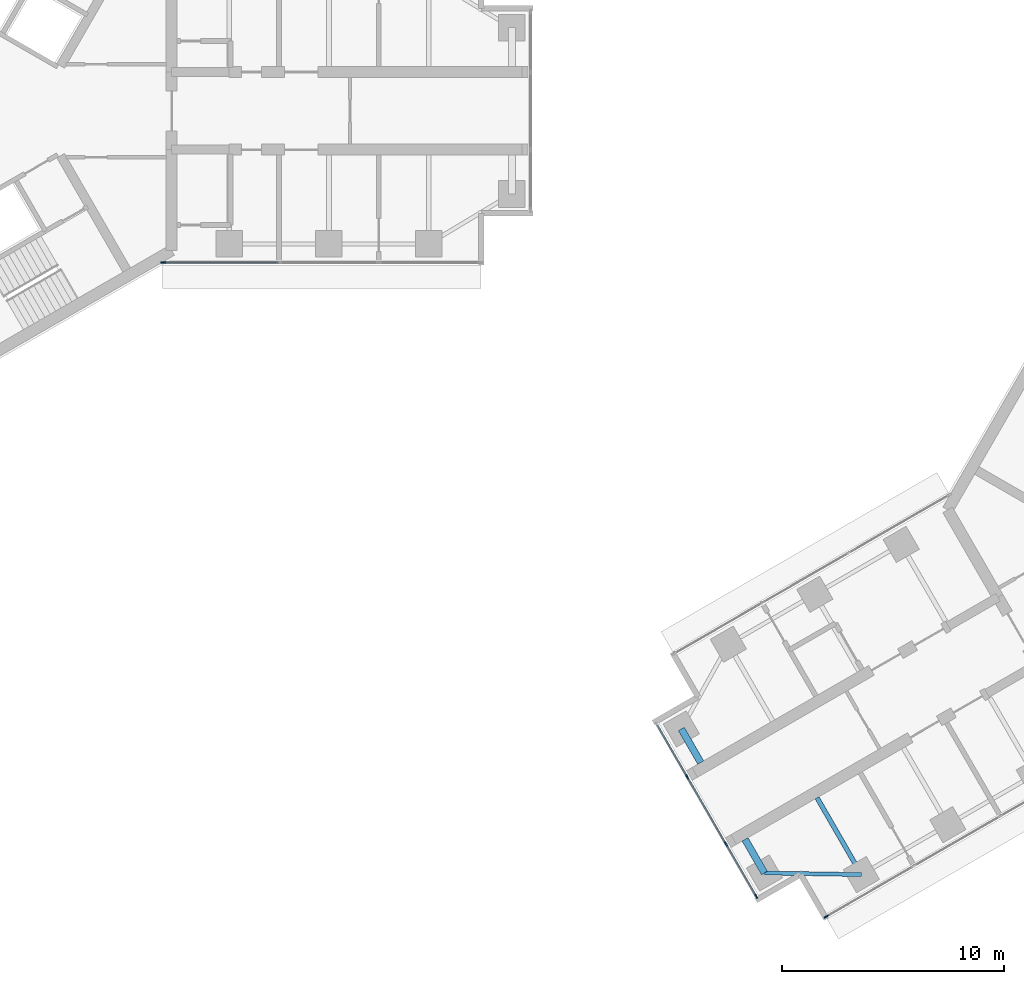
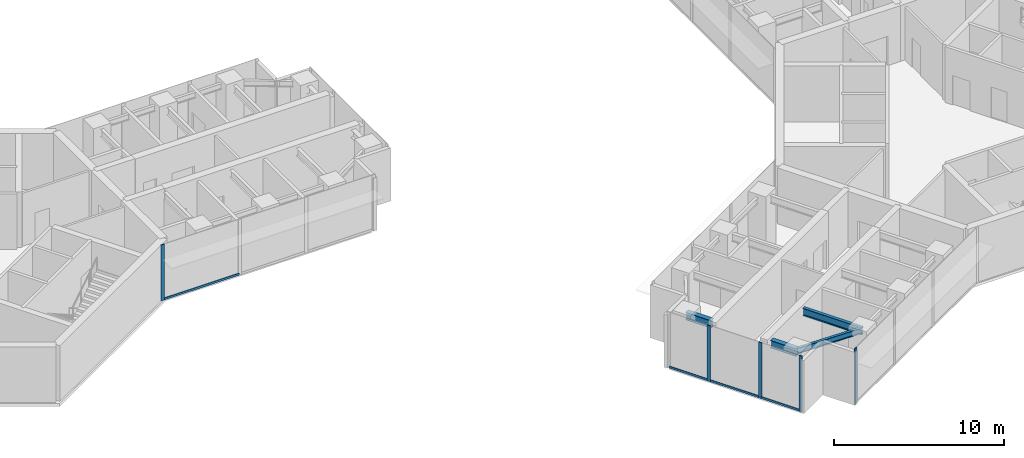
# One storey, part 2 of 17: 9 members, 4 beams, 3 elements without a shape of their own.
"""IFC4 building model written with IfcOpenShell, lengths in metres."""

import ifcopenshell
import ifcopenshell.guid

model = None  # the IFC model being written
_history = None  # IfcOwnerHistory: only IFC2X3 demands one
_inside = {}  # id of a spatial element -> (the spatial element, [elements in it])
_under = {}  # id of a project, library or spatial element -> (it, [spatial elements below it])
_declared = {}  # id of a project -> (the project, [libraries it declares])
_typed = {}  # id of a type object -> (the type object, [elements of that type])
_made_of = {}  # id of a material, layer set ... -> (it, [elements and type objects made of it])


def new_model(schema):
    """Start an empty IFC model of exactly this schema.

    Asked for "IFC4X3", IfcOpenShell would pick the latest addendum, in which some entities
    have other attributes; the version numbers below select the first issue.
    IFC2X3 requires an IfcOwnerHistory on every rooted entity: one is made here for all.
    """
    global model, _history
    if schema == "IFC4X3":
        model = ifcopenshell.file(schema_version=(4, 3, 0, 0))
    else:
        model = ifcopenshell.file(schema=schema)
    _inside.clear()
    _under.clear()
    _declared.clear()
    _typed.clear()
    _made_of.clear()
    _history = None
    if model.schema == "IFC2X3":
        org = make("IfcOrganization", Name="unknown")
        user = make(
            "IfcPersonAndOrganization",
            ThePerson=make("IfcPerson", FamilyName="unknown"),
            TheOrganization=org,
        )
        app = make(
            "IfcApplication",
            ApplicationDeveloper=org,
            Version="unknown",
            ApplicationFullName="unknown",
            ApplicationIdentifier="unknown",
        )
        _history = make(
            "IfcOwnerHistory",
            OwningUser=user,
            OwningApplication=app,
            ChangeAction="ADDED",
            CreationDate=0,
        )
    return model


def make(cls, **values):
    """One entity of the class cls with the attributes given. An attribute that is None is left unset."""
    return model.create_entity(
        cls, **{name: value for name, value in values.items() if value is not None}
    )


def rooted(cls, **values):
    """An entity with a GlobalId (a new one), such as an element, a storey or a relation."""
    return make(cls, GlobalId=ifcopenshell.guid.new(), OwnerHistory=_history, **values)


def si_unit(unit_type, name, prefix=None):
    """IfcSIUnit, for example si_unit("LENGTHUNIT", "METRE", prefix="MILLI")."""
    return make("IfcSIUnit", UnitType=unit_type, Prefix=prefix, Name=name)


def assignment(units):
    """IfcUnitAssignment: the units of a project."""
    return None if units is None else make("IfcUnitAssignment", Units=units)


def point(xyz):
    """IfcCartesianPoint."""
    return None if xyz is None else make("IfcCartesianPoint", Coordinates=xyz)


def direction(xyz):
    """IfcDirection."""
    return None if xyz is None else make("IfcDirection", DirectionRatios=xyz)


def frame(location, z_axis=None, x_axis=None):
    """IfcAxis2Placement3D, a coordinate frame: its origin and axes. An axis left out is left unset."""
    return make(
        "IfcAxis2Placement3D",
        Location=point(location),
        Axis=direction(z_axis),
        RefDirection=direction(x_axis),
    )


def frame_2d(location, x_axis=None):
    """IfcAxis2Placement2D, a coordinate frame in the plane: its origin and x axis."""
    return make(
        "IfcAxis2Placement2D", Location=point(location), RefDirection=direction(x_axis)
    )


def origin():
    """The frame at (0, 0, 0) with its axes left unset."""
    return frame((0.0, 0.0, 0.0))


def origin_2d():
    """The frame at (0, 0) in the plane with its x axis left unset."""
    return frame_2d((0.0, 0.0))


def place(relative_to, where):
    """IfcLocalPlacement: puts the frame where relative to a parent placement (None: the world)."""
    return make(
        "IfcLocalPlacement", PlacementRelTo=relative_to, RelativePlacement=where
    )


def context(
    kind, dimensions, precision=None, world=None, true_north=None, identifier=None
):
    """IfcGeometricRepresentationContext, for example the 3D "Model" context."""
    return make(
        "IfcGeometricRepresentationContext",
        ContextIdentifier=identifier,
        ContextType=kind,
        CoordinateSpaceDimension=dimensions,
        Precision=precision,
        WorldCoordinateSystem=world,
        TrueNorth=true_north,
    )


def subcontext(parent, identifier, kind, view, scale=None):
    """IfcGeometricRepresentationSubContext, for example "Body" below "Model"."""
    return make(
        "IfcGeometricRepresentationSubContext",
        ContextIdentifier=identifier,
        ContextType=kind,
        ParentContext=parent,
        TargetScale=scale,
        TargetView=view,
    )


def project(units=None, contexts=None):
    """IfcProject with its units and contexts."""
    return rooted(
        "IfcProject",
        Name="project",
        RepresentationContexts=contexts,
        UnitsInContext=assignment(units),
    )


def spatial(cls, under=None, at=None, **own):
    """A site, building, storey or space (cls), placed at a placement, below another one or the project."""
    s = rooted(cls, ObjectPlacement=at, **own)
    if under is not None:
        _under.setdefault(under.id(), (under, []))[1].append(s)
    return s


def profile(cls, at=None, kind="AREA", **sizes):
    """A parametric profile (cls). Its sizes go by their IFC names, for example OverallWidth=200.0."""
    return make(cls, ProfileType=kind, Position=at, **sizes)


def rectangle(**sizes):
    """IfcRectangleProfileDef."""
    return profile("IfcRectangleProfileDef", **sizes)


def i_section(**sizes):
    """IfcIShapeProfileDef."""
    return profile("IfcIShapeProfileDef", **sizes)


def extrude(swept, where, along, depth):
    """IfcExtrudedAreaSolid: the profile swept, set in the frame where, extruded along a direction by depth."""
    return make(
        "IfcExtrudedAreaSolid",
        SweptArea=swept,
        Position=where,
        ExtrudedDirection=direction(along),
        Depth=depth,
    )


def shape(context_of_items, identifier, shape_type, items):
    """IfcShapeRepresentation: the items that make up one representation, for example the "Body"."""
    return make(
        "IfcShapeRepresentation",
        ContextOfItems=context_of_items,
        RepresentationIdentifier=identifier,
        RepresentationType=shape_type,
        Items=items,
    )


def material(Name=None, Category=None):
    """IfcMaterial."""
    return make("IfcMaterial", Name=Name, Category=Category)


def material_profile(
    of_material, cross_section, Name=None, Category=None, Priority=None
):
    """IfcMaterialProfile: a cross section and its material."""
    return make(
        "IfcMaterialProfile",
        Name=Name,
        Material=of_material,
        Profile=cross_section,
        Priority=Priority,
        Category=Category,
    )


def profile_set(profiles, Name=None, composite=None):
    """IfcMaterialProfileSet."""
    return make(
        "IfcMaterialProfileSet",
        Name=Name,
        MaterialProfiles=profiles,
        CompositeProfile=composite,
    )


def made_of(thing, what):
    """Note that an element or type object is made of a material, layer set ...; save() writes the relation."""
    if what is not None:
        _made_of.setdefault(what.id(), (what, []))[1].append(thing)
    return thing


def type_object(cls, material=None, **own):
    """A type object (cls), such as IfcWallType, which elements share."""
    return made_of(rooted(cls, **own), material)


def element(
    cls,
    number,
    at=None,
    inside=None,
    cuts=None,
    type_object=None,
    material=None,
    context=None,
    identifier="Body",
    shape_type=None,
    held_by="IfcProductDefinitionShape",
    body=None,
    shapes=None,
    **own,
):
    """One element of the class cls, such as IfcWall. Its Tag is "e" and its number.

    at: its placement. inside: the storey or other place that contains it. cuts: it is an
    opening in that element (IfcRelVoidsElement). A single representation is given by context,
    identifier, shape_type and body (its items); several are given by shapes. held_by: the class
    of the entity that holds the representations. save() writes the other relations.
    """
    e = rooted(cls, Tag="e%d" % number, ObjectPlacement=at, **own)
    if body is not None:
        shapes = [shape(context, identifier, shape_type, body)]
    if shapes is not None:
        e.Representation = make(held_by, Representations=shapes)
    if inside is not None:
        _inside.setdefault(inside.id(), (inside, []))[1].append(e)
    if cuts is not None:
        rooted(
            "IfcRelVoidsElement", RelatingBuildingElement=cuts, RelatedOpeningElement=e
        )
    if type_object is not None:
        _typed.setdefault(type_object.id(), (type_object, []))[1].append(e)
    return made_of(e, material)


def aggregate(whole, parts):
    """IfcRelAggregates: a whole, such as a stair, and the parts it consists of."""
    return rooted("IfcRelAggregates", RelatingObject=whole, RelatedObjects=parts)


def save(model, path):
    """Write the relations noted so far, then the file.

    IfcRelAggregates (storeys below a building ...), IfcRelContainedInSpatialStructure (elements
    in a storey), IfcRelDefinesByType, IfcRelAssociatesMaterial and IfcRelDeclares: one each for
    every whole, place, type object, material and project.
    """
    for whole, parts in _under.values():
        aggregate(whole, parts)
    for where, things in _inside.values():
        rooted(
            "IfcRelContainedInSpatialStructure",
            RelatedElements=things,
            RelatingStructure=where,
        )
    for kind, things in _typed.values():
        rooted("IfcRelDefinesByType", RelatedObjects=things, RelatingType=kind)
    for what, things in _made_of.values():
        rooted("IfcRelAssociatesMaterial", RelatedObjects=things, RelatingMaterial=what)
    for by, libraries in _declared.values():
        rooted("IfcRelDeclares", RelatingContext=by, RelatedDefinitions=libraries)
    model.write(path)


model = new_model("IFC4")

# Units and contexts
model_context = context("Model", 3, precision=1e-05, world=origin(), true_north=direction((0.0, 1.0)))
body_context = subcontext(model_context, "Body", "Model", "MODEL_VIEW")
ifc_project = project(units=[si_unit("LENGTHUNIT", "METRE"), si_unit("AREAUNIT", "SQUARE_METRE"), si_unit("VOLUMEUNIT", "CUBIC_METRE"), si_unit("PLANEANGLEUNIT", "RADIAN"), si_unit("MASSUNIT", "GRAM", prefix="KILO")], contexts=[model_context])

# Site, building, storey
site_placement = place(None, origin())
site = spatial("IfcSite", under=ifc_project, at=site_placement, CompositionType="ELEMENT")
building_placement = place(site_placement, origin())
building = spatial("IfcBuilding", under=site, at=building_placement, Name="Upepo Twin Towers", CompositionType="ELEMENT")
storey_placement = place(building_placement, frame((0.0, 0.0, 186.5)))
storey = spatial("IfcBuildingStorey", under=building, at=storey_placement, Name="L45", CompositionType="ELEMENT", Elevation=186.5)

# Beams
ifc_material_1 = material(Name="Steel S355", Category="steel")
ifc_material_profile_1 = material_profile(ifc_material_1, i_section(OverallWidth=0.177978515625, OverallDepth=0.406494140625, WebThickness=0.0078125, FlangeThickness=0.0126953125, FilletRadius=0.01025390625, at=origin_2d()), Name="UB 406x178x60")
ifc_profile_set_1 = profile_set([ifc_material_profile_1], Name="Steel S355")
beam_type_1 = type_object("IfcBeamType", Name="Beam UB 406x178x60", PredefinedType="BEAM", material=ifc_profile_set_1)
beam_1_placement = place(storey_placement, frame((42.014404296875, -34.446044921875, 3.5966796875), z_axis=(-0.999858804832, 0.016803880528, 0.0), x_axis=(-0.016803880528, -0.999858804832, 0.0)))
element("IfcBeam", 1, at=beam_1_placement, inside=storey, type_object=beam_type_1, Name="T2 nose edge beam BL", PredefinedType="BEAM", context=body_context, shape_type="SweptSolid", body=[
    extrude(i_section(OverallWidth=0.177978515625, OverallDepth=0.406494140625, WebThickness=0.0078125, FlangeThickness=0.0126953125, FilletRadius=0.01025390625, at=origin_2d()), origin(), (0.0, 0.0, 1.0), 4.373291015625),
])
ifc_material_2 = material(Name="Steel S355", Category="steel")
ifc_material_profile_2 = material_profile(ifc_material_2, i_section(OverallWidth=0.209228515625, OverallDepth=0.533203125, WebThickness=0.010009765625, FlangeThickness=0.015625, FilletRadius=0.0126953125, at=origin_2d()), Name="UB 533x210x92")
ifc_profile_set_2 = profile_set([ifc_material_profile_2], Name="Steel S355")
beam_type_2 = type_object("IfcBeamType", Name="Beam UB 533x210x92", PredefinedType="BEAM", material=ifc_profile_set_2)
beam_2_placement = place(storey_placement, frame((42.014404296875, -34.446044921875, 3.533447265625), z_axis=(-0.49999894854, 0.866026010844, 0.0), x_axis=(-0.866026010844, -0.49999894854, 0.0)))
element("IfcBeam", 2, at=beam_2_placement, inside=storey, type_object=beam_type_2, Name="T2 girder BL at 22.5", PredefinedType="BEAM", context=body_context, shape_type="SweptSolid", body=[
    extrude(i_section(OverallWidth=0.209228515625, OverallDepth=0.533203125, WebThickness=0.010009765625, FlangeThickness=0.015625, FilletRadius=0.0126953125, at=origin_2d()), origin(), (0.0, 0.0, 1.0), 4.0),
])
ifc_material_3 = material(Name="Steel S355", Category="steel")
ifc_material_profile_3 = material_profile(ifc_material_3, i_section(OverallWidth=0.31201171875, OverallDepth=0.54345703125, WebThickness=0.0126953125, FlangeThickness=0.020263671875, FilletRadius=0.0126953125, at=origin_2d()), Name="UB 533x312x150")
ifc_profile_set_3 = profile_set([ifc_material_profile_3], Name="Steel S355")
beam_type_3 = type_object("IfcBeamType", Name="Beam UB 533x312x150", PredefinedType="BEAM", material=ifc_profile_set_3)
for number, where, z_axis, x_axis, name in (
    (3, (37.641845703125, -34.37255859375, 3.5283203125), (-0.499980071345, 0.866036909293, 0.0), (-0.866036909293, -0.499980071345, 0.0), "T2 nose beam BL"),
    (4, (33.891845703125, -27.87744140625, 3.5283203125), (0.499980071345, -0.866036909293, 0.0), (0.866036909293, 0.499980071345, 0.0), "T2 nose beam BR"),
):
    element("IfcBeam", number, at=place(storey_placement, frame(where, z_axis=z_axis, x_axis=x_axis)), inside=storey, type_object=beam_type_3, Name=name, PredefinedType="BEAM", context=body_context, shape_type="SweptSolid", body=[
        extrude(i_section(OverallWidth=0.31201171875, OverallDepth=0.54345703125, WebThickness=0.0126953125, FlangeThickness=0.020263671875, FilletRadius=0.0126953125, at=origin_2d()), origin(), (0.0, 0.0, 1.0), 1.75),
    ])

# Curtain wall, member
ifc_material_4 = material(Name="Aluminium and fritted glass", Category="aluminium")
curtain_wall_type = type_object("IfcCurtainWallType", Name="Tower curtain wall TW3, fritted glass", PredefinedType="NOTDEFINED", material=ifc_material_4)
curtain_wall_1_placement = place(storey_placement, origin())
curtain_wall_1 = element("IfcCurtainWall", 5, at=curtain_wall_1_placement, inside=storey, type_object=curtain_wall_type, Name="T1 L45 wing A flank R curtain wall", PredefinedType="NOTDEFINED")
ifc_material_5 = material(Name="Aluminium mullion", Category="aluminium")
ifc_material_profile_4 = material_profile(ifc_material_5, rectangle(XDim=0.06494140625, YDim=0.22509765625, at=origin_2d()), Name="MULLION 65x225")
ifc_profile_set_4 = profile_set([ifc_material_profile_4], Name="Aluminium mullion")
member_type_1 = type_object("IfcMemberType", Name="Mullion 65x225 TW3", PredefinedType="MULLION", material=ifc_profile_set_4)
member_1_placement = place(storey_placement, frame((10.51953125, -6.85009765625, 0.0), z_axis=(0.0, 0.0, 1.0), x_axis=(0.0, -1.0, 0.0)))
member_1 = element("IfcMember", 6, at=member_1_placement, type_object=member_type_1, Name="T1 L45 wing A flank R curtain wall mullion 4", PredefinedType="MULLION", context=body_context, shape_type="SweptSolid", body=[
    extrude(rectangle(XDim=0.06494140625, YDim=0.22509765625, at=origin_2d()), origin(), (0.0, 0.0, 1.0), 4.0),
])

curtain_wall_2_placement = place(storey_placement, origin())
curtain_wall_2 = element("IfcCurtainWall", 7, at=curtain_wall_2_placement, inside=storey, type_object=curtain_wall_type, Name="T2 L45 wing B flank L curtain wall", PredefinedType="NOTDEFINED")
member_2_placement = place(storey_placement, frame((40.432373046875, -36.341064453125, 0.0), z_axis=(0.0, 0.0, 1.0), x_axis=(0.500000026527, -0.866025388469, 0.0)))
member_2 = element("IfcMember", 8, at=member_2_placement, type_object=member_type_1, Name="T2 L45 wing B flank L curtain wall mullion 4", PredefinedType="MULLION", context=body_context, shape_type="SweptSolid", body=[
    extrude(rectangle(XDim=0.06494140625, YDim=0.22509765625, at=origin_2d()), origin(), (0.0, 0.0, 1.0), 4.0),
])
aggregate(curtain_wall_2, [member_2])

# Curtain wall, members
curtain_wall_3_placement = place(storey_placement, origin())
curtain_wall_3 = element("IfcCurtainWall", 9, at=curtain_wall_3_placement, inside=storey, type_object=curtain_wall_type, Name="T2 L45 wing B nose curtain wall", PredefinedType="NOTDEFINED")
member_3_placement = place(storey_placement, frame((34.15576171875, -30.034423828125, 0.0), z_axis=(0.0, 0.0, 1.0), x_axis=(0.866025386174, 0.500000030502, 0.0)))
member_3 = element("IfcMember", 10, at=member_3_placement, type_object=member_type_1, Name="T2 L45 wing B nose curtain wall mullion 2", PredefinedType="MULLION", context=body_context, shape_type="SweptSolid", body=[
    extrude(rectangle(XDim=0.06494140625, YDim=0.22509765625, at=origin_2d()), origin(), (0.0, 0.0, 1.0), 4.0),
])
member_4_placement = place(storey_placement, frame((35.90576171875, -33.0654296875, 0.0), z_axis=(0.0, 0.0, 1.0), x_axis=(0.866025386174, 0.500000030502, 0.0)))
member_4 = element("IfcMember", 11, at=member_4_placement, type_object=member_type_1, Name="T2 L45 wing B nose curtain wall mullion 3", PredefinedType="MULLION", context=body_context, shape_type="SweptSolid", body=[
    extrude(rectangle(XDim=0.06494140625, YDim=0.22509765625, at=origin_2d()), origin(), (0.0, 0.0, 1.0), 4.0),
])
member_5_placement = place(storey_placement, frame((37.264404296875, -35.4189453125, 0.0), z_axis=(0.0, 0.0, 1.0), x_axis=(0.866025386174, 0.500000030502, 0.0)))
member_5 = element("IfcMember", 12, at=member_5_placement, type_object=member_type_1, Name="T2 L45 wing B nose curtain wall mullion 4", PredefinedType="MULLION", context=body_context, shape_type="SweptSolid", body=[
    extrude(rectangle(XDim=0.06494140625, YDim=0.22509765625, at=origin_2d()), origin(), (0.0, 0.0, 1.0), 4.0),
])

# Member
ifc_material_6 = material(Name="Aluminium transom", Category="aluminium")
ifc_material_profile_5 = material_profile(ifc_material_6, rectangle(XDim=0.06494140625, YDim=0.14990234375, at=origin_2d()), Name="TRANSOM 65x150")
ifc_profile_set_5 = profile_set([ifc_material_profile_5], Name="Aluminium transom")
member_type_2 = type_object("IfcMemberType", Name="Transom 65x150 TW3", PredefinedType="USERDEFINED", material=ifc_profile_set_5)
member_6_placement = place(storey_placement, frame((15.717529296875, -6.85009765625, 0.074951171875), z_axis=(-1.0, 0.0, 0.0), x_axis=(0.0, -1.0, 0.0)))
member_6 = element("IfcMember", 13, at=member_6_placement, type_object=member_type_2, Name="T1 L45 wing A flank R curtain wall transom 3", ObjectType="TRANSOM", PredefinedType="USERDEFINED", context=body_context, shape_type="SweptSolid", body=[
    extrude(rectangle(XDim=0.06494140625, YDim=0.14990234375, at=origin_2d()), origin(), (0.0, 0.0, 1.0), 5.16552734375),
])

aggregate(curtain_wall_1, [member_1, member_6])

member_7_placement = place(storey_placement, frame((32.813232421875, -27.709228515625, 0.074951171875), z_axis=(0.499980071345, -0.866036909293, 0.0), x_axis=(0.866036909293, 0.499980071345, 0.0)))
member_7 = element("IfcMember", 14, at=member_7_placement, type_object=member_type_2, Name="T2 L45 wing B nose curtain wall transom 1", ObjectType="TRANSOM", PredefinedType="USERDEFINED", context=body_context, shape_type="SweptSolid", body=[
    extrude(rectangle(XDim=0.06494140625, YDim=0.14990234375, at=origin_2d()), origin(), (0.0, 0.0, 1.0), 2.65234375),
])

member_8_placement = place(storey_placement, frame((34.171875, -30.0625, 0.074951171875), z_axis=(0.499999305434, -0.866025804792, 0.0), x_axis=(0.866025804792, 0.499999305434, 0.0)))
member_8 = element("IfcMember", 15, at=member_8_placement, type_object=member_type_2, Name="T2 L45 wing B nose curtain wall transom 2", ObjectType="TRANSOM", PredefinedType="USERDEFINED", context=body_context, shape_type="SweptSolid", body=[
    extrude(rectangle(XDim=0.06494140625, YDim=0.14990234375, at=origin_2d()), origin(), (0.0, 0.0, 1.0), 3.43505859375),
])

member_9_placement = place(storey_placement, frame((35.921875, -33.09375, 0.074951171875), z_axis=(0.500049101008, -0.865997053448, 0.0), x_axis=(0.865997053448, 0.500049101008, 0.0)))
member_9 = element("IfcMember", 16, at=member_9_placement, type_object=member_type_2, Name="T2 L45 wing B nose curtain wall transom 3", ObjectType="TRANSOM", PredefinedType="USERDEFINED", context=body_context, shape_type="SweptSolid", body=[
    extrude(rectangle(XDim=0.06494140625, YDim=0.14990234375, at=origin_2d()), origin(), (0.0, 0.0, 1.0), 2.652587890625),
])

aggregate(curtain_wall_3, [member_3, member_4, member_5, member_7, member_8, member_9])

save(model, "model.ifc")
